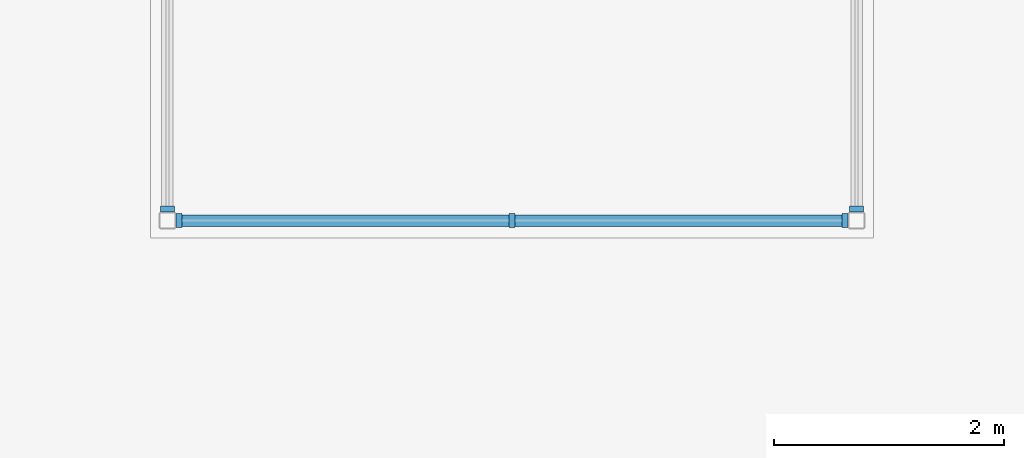
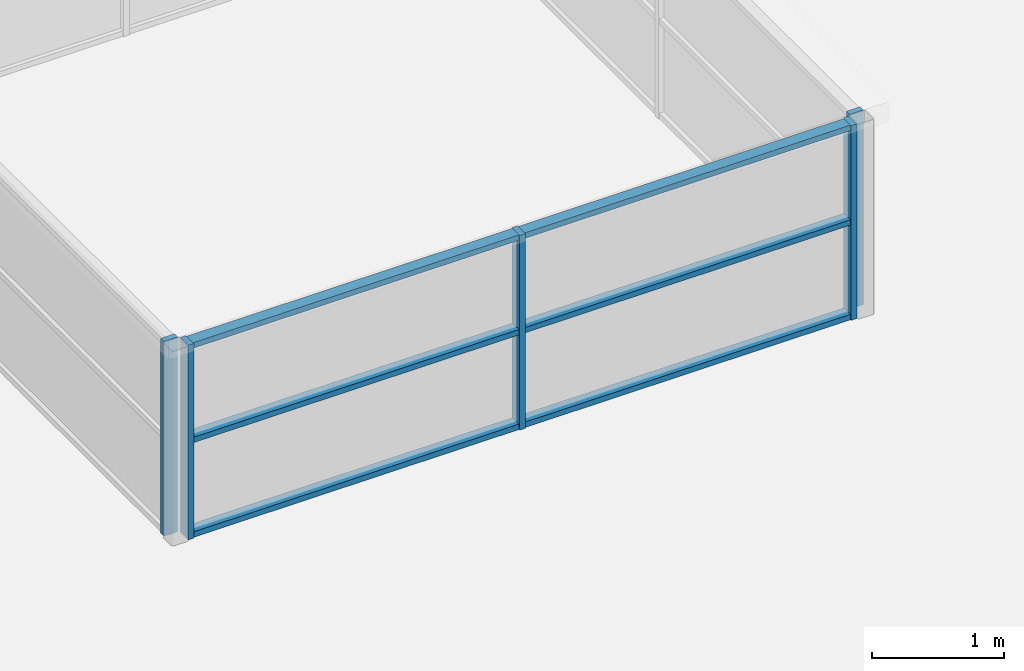
# One storey, part 7 of 10: 11 members, 3 elements without a shape of their own.
"""IFC4 building model written with IfcOpenShell, lengths in metres."""

from ifc_helpers import new_model, si_unit, direction, frame, origin, origin_2d, place, context, subcontext, project, spatial, rectangle, extrude, material, layer, layer_set, material_profile, profile_set, type_object, element, aggregate, save


model = new_model("IFC4")

# Units and contexts
model_context = context("Model", 3, precision=1e-05, world=origin(), true_north=direction((0.0, 1.0)))
body_context = subcontext(model_context, "Body", "Model", "MODEL_VIEW")
ifc_project = project(units=[si_unit("LENGTHUNIT", "METRE"), si_unit("AREAUNIT", "SQUARE_METRE"), si_unit("VOLUMEUNIT", "CUBIC_METRE"), si_unit("PLANEANGLEUNIT", "RADIAN"), si_unit("MASSUNIT", "GRAM", prefix="KILO")], contexts=[model_context])

# Site, building, storey
site_placement = place(None, origin())
site = spatial("IfcSite", under=ifc_project, at=site_placement, CompositionType="ELEMENT")
building_placement = place(site_placement, origin())
building = spatial("IfcBuilding", under=site, at=building_placement, Name="Poui Terraces", CompositionType="ELEMENT")
storey_placement = place(building_placement, frame((0.0, 0.0, 292.199951171875)))
storey = spatial("IfcBuildingStorey", under=building, at=storey_placement, Name="ROOF", CompositionType="ELEMENT", Elevation=292.199951171875)

# Curtain wall, members
ifc_material_1 = material(Name="Clear glass", Category="glass")
ifc_layer = layer(ifc_material_1, 0.1201171875)
ifc_layer_set = layer_set([ifc_layer], Name="Clear glass")
curtain_wall_type = type_object("IfcCurtainWallType", Name="CURTAIN WALL CW-F LANTERN GLAZING", PredefinedType="NOTDEFINED", material=ifc_layer_set)
curtain_wall_1_placement = place(storey_placement, origin())
curtain_wall_1 = element("IfcCurtainWall", 1, at=curtain_wall_1_placement, inside=storey, type_object=curtain_wall_type, Name="CW-F LANTERN GLAZING", PredefinedType="NOTDEFINED")
ifc_material_2 = material(Name="Aluminium frame", Category="aluminium")
ifc_material_profile_1 = material_profile(ifc_material_2, rectangle(XDim=0.1201171875, YDim=0.050048828125, at=origin_2d()), Name="CW-F MULLION 50X120")
ifc_profile_set_1 = profile_set([ifc_material_profile_1], Name="Aluminium frame")
member_type_1 = type_object("IfcMemberType", Name="CW-F MULLION 50X120", PredefinedType="MULLION", material=ifc_profile_set_1)
member_1_placement = place(storey_placement, frame((24.10009765625, 32.0, 0.0), z_axis=(0.0, 0.0, 1.0), x_axis=(0.0, 1.0, 0.0)))
member_1 = element("IfcMember", 2, at=member_1_placement, type_object=member_type_1, Name="CW-F mullion 1", PredefinedType="MULLION", context=body_context, shape_type="SweptSolid", body=[
    extrude(rectangle(XDim=0.1201171875, YDim=0.050048828125, at=origin_2d()), origin(), (0.0, 0.0, 1.0), 1.800048828125),
])
member_2_placement = place(storey_placement, frame((27.0, 32.0, 0.0), z_axis=(0.0, 0.0, 1.0), x_axis=(0.0, 1.0, 0.0)))
member_2 = element("IfcMember", 3, at=member_2_placement, type_object=member_type_1, Name="CW-F mullion 2", PredefinedType="MULLION", context=body_context, shape_type="SweptSolid", body=[
    extrude(rectangle(XDim=0.1201171875, YDim=0.050048828125, at=origin_2d()), origin(), (0.0, 0.0, 1.0), 1.800048828125),
])
member_3_placement = place(storey_placement, frame((29.89990234375, 32.0, 0.0), z_axis=(0.0, 0.0, 1.0), x_axis=(0.0, 1.0, 0.0)))
member_3 = element("IfcMember", 4, at=member_3_placement, type_object=member_type_1, Name="CW-F mullion 3", PredefinedType="MULLION", context=body_context, shape_type="SweptSolid", body=[
    extrude(rectangle(XDim=0.1201171875, YDim=0.050048828125, at=origin_2d()), origin(), (0.0, 0.0, 1.0), 1.800048828125),
])

# Curtain wall, member
curtain_wall_2_placement = place(storey_placement, origin())
curtain_wall_2 = element("IfcCurtainWall", 5, at=curtain_wall_2_placement, inside=storey, type_object=curtain_wall_type, Name="CW-F LANTERN GLAZING", PredefinedType="NOTDEFINED")
member_4_placement = place(storey_placement, frame((30.0, 32.10009765625, 0.0), z_axis=(0.0, 0.0, 1.0), x_axis=(-1.0, 0.0, 0.0)))
member_4 = element("IfcMember", 6, at=member_4_placement, type_object=member_type_1, Name="CW-F mullion 1", PredefinedType="MULLION", context=body_context, shape_type="SweptSolid", body=[
    extrude(rectangle(XDim=0.1201171875, YDim=0.050048828125, at=origin_2d()), origin(), (0.0, 0.0, 1.0), 1.800048828125),
])
aggregate(curtain_wall_2, [member_4])

curtain_wall_3_placement = place(storey_placement, origin())
curtain_wall_3 = element("IfcCurtainWall", 7, at=curtain_wall_3_placement, inside=storey, type_object=curtain_wall_type, Name="CW-F LANTERN GLAZING", PredefinedType="NOTDEFINED")
member_5_placement = place(storey_placement, frame((24.0, 32.10009765625, 0.0), z_axis=(0.0, 0.0, 1.0), x_axis=(1.0, 0.0, 0.0)))
member_5 = element("IfcMember", 8, at=member_5_placement, type_object=member_type_1, Name="CW-F mullion 3", PredefinedType="MULLION", context=body_context, shape_type="SweptSolid", body=[
    extrude(rectangle(XDim=0.1201171875, YDim=0.050048828125, at=origin_2d()), origin(), (0.0, 0.0, 1.0), 1.800048828125),
])
aggregate(curtain_wall_3, [member_5])

# Member
ifc_material_profile_2 = material_profile(ifc_material_2, rectangle(XDim=0.10009765625, YDim=0.050048828125, at=origin_2d()), Name="CW-F TRANSOM 50X100")
ifc_profile_set_2 = profile_set([ifc_material_profile_2], Name="Aluminium frame")
member_type_2 = type_object("IfcMemberType", Name="CW-F TRANSOM 50X100", PredefinedType="USERDEFINED", material=ifc_profile_set_2)
member_6_placement = place(storey_placement, frame((24.125, 32.0, 0.025146484375), z_axis=(1.0, 0.0, 0.0), x_axis=(0.0, 1.0, 0.0)))
member_6 = element("IfcMember", 9, at=member_6_placement, type_object=member_type_2, Name="CW-F transom 1.1", ObjectType="TRANSOM", PredefinedType="USERDEFINED", context=body_context, shape_type="SweptSolid", body=[
    extrude(rectangle(XDim=0.10009765625, YDim=0.050048828125, at=origin_2d()), origin(), (0.0, 0.0, 1.0), 2.85009765625),
])

member_7_placement = place(storey_placement, frame((24.125, 32.0, 0.900146484375), z_axis=(1.0, 0.0, 0.0), x_axis=(0.0, 1.0, 0.0)))
member_7 = element("IfcMember", 10, at=member_7_placement, type_object=member_type_2, Name="CW-F transom 1.2", ObjectType="TRANSOM", PredefinedType="USERDEFINED", context=body_context, shape_type="SweptSolid", body=[
    extrude(rectangle(XDim=0.10009765625, YDim=0.050048828125, at=origin_2d()), origin(), (0.0, 0.0, 1.0), 2.85009765625),
])

member_8_placement = place(storey_placement, frame((24.125, 32.0, 1.775146484375), z_axis=(1.0, 0.0, 0.0), x_axis=(0.0, 1.0, 0.0)))
member_8 = element("IfcMember", 11, at=member_8_placement, type_object=member_type_2, Name="CW-F transom 1.3", ObjectType="TRANSOM", PredefinedType="USERDEFINED", context=body_context, shape_type="SweptSolid", body=[
    extrude(rectangle(XDim=0.10009765625, YDim=0.050048828125, at=origin_2d()), origin(), (0.0, 0.0, 1.0), 2.85009765625),
])

member_9_placement = place(storey_placement, frame((27.02490234375, 32.0, 0.025146484375), z_axis=(1.0, 0.0, 0.0), x_axis=(0.0, 1.0, 0.0)))
member_9 = element("IfcMember", 12, at=member_9_placement, type_object=member_type_2, Name="CW-F transom 2.1", ObjectType="TRANSOM", PredefinedType="USERDEFINED", context=body_context, shape_type="SweptSolid", body=[
    extrude(rectangle(XDim=0.10009765625, YDim=0.050048828125, at=origin_2d()), origin(), (0.0, 0.0, 1.0), 2.85009765625),
])

member_10_placement = place(storey_placement, frame((27.02490234375, 32.0, 0.900146484375), z_axis=(1.0, 0.0, 0.0), x_axis=(0.0, 1.0, 0.0)))
member_10 = element("IfcMember", 13, at=member_10_placement, type_object=member_type_2, Name="CW-F transom 2.2", ObjectType="TRANSOM", PredefinedType="USERDEFINED", context=body_context, shape_type="SweptSolid", body=[
    extrude(rectangle(XDim=0.10009765625, YDim=0.050048828125, at=origin_2d()), origin(), (0.0, 0.0, 1.0), 2.85009765625),
])

member_11_placement = place(storey_placement, frame((27.02490234375, 32.0, 1.775146484375), z_axis=(1.0, 0.0, 0.0), x_axis=(0.0, 1.0, 0.0)))
member_11 = element("IfcMember", 14, at=member_11_placement, type_object=member_type_2, Name="CW-F transom 2.3", ObjectType="TRANSOM", PredefinedType="USERDEFINED", context=body_context, shape_type="SweptSolid", body=[
    extrude(rectangle(XDim=0.10009765625, YDim=0.050048828125, at=origin_2d()), origin(), (0.0, 0.0, 1.0), 2.85009765625),
])

aggregate(curtain_wall_1, [member_1, member_2, member_3, member_6, member_7, member_8, member_9, member_10, member_11])

save(model, "model.ifc")
